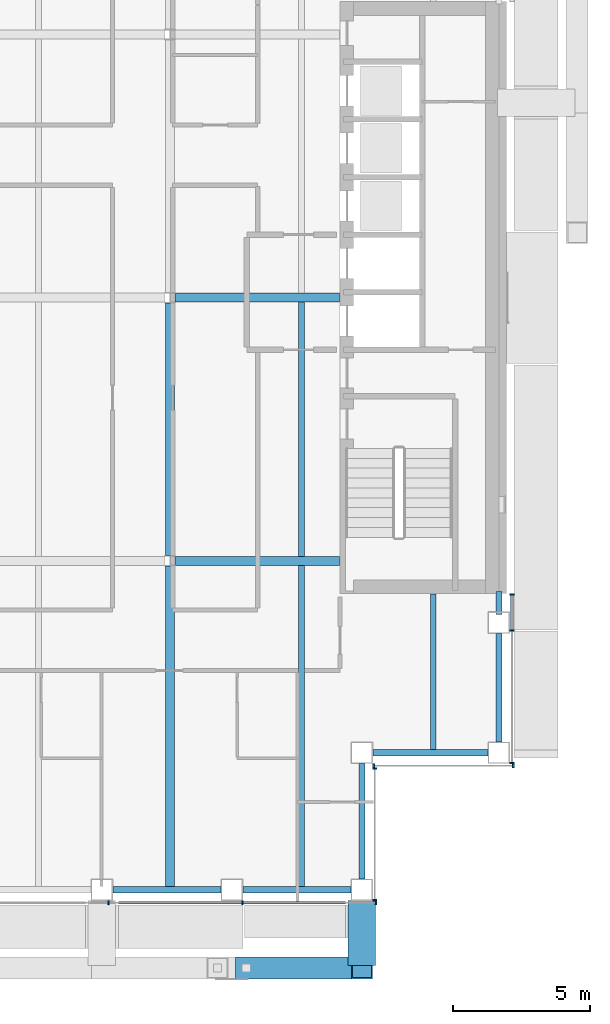
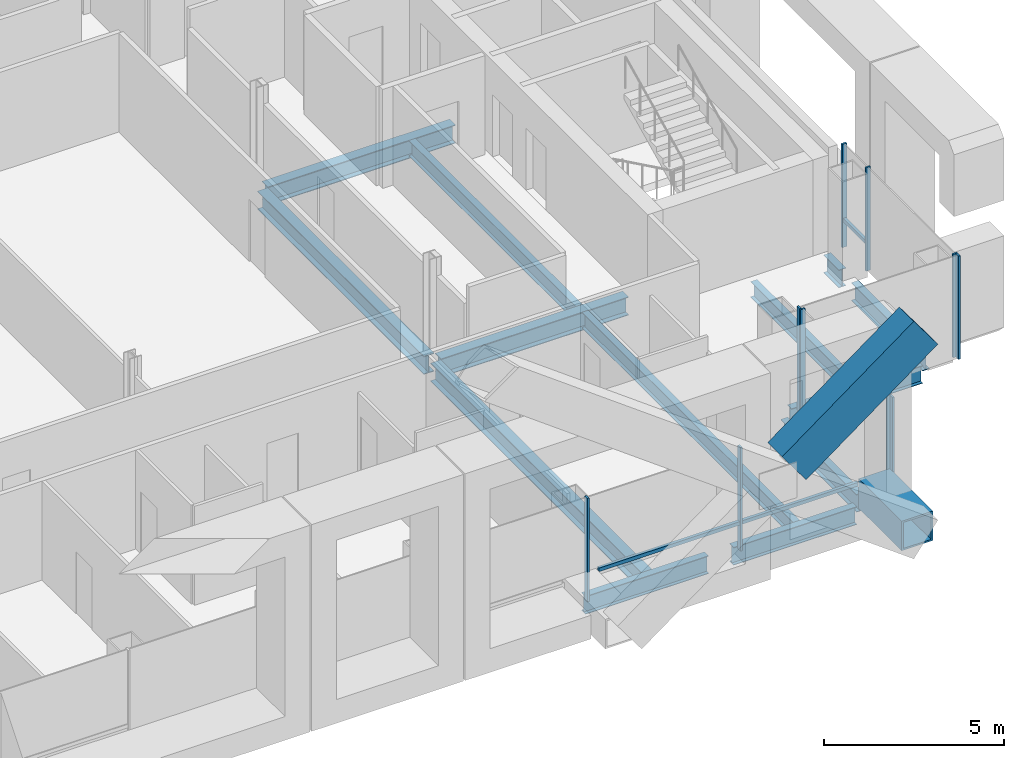
# One storey, part 6 of 22: 14 beams, 14 members, 4 elements without a shape of their own.
"""IFC4 building model written with IfcOpenShell, lengths in metres."""

from ifc_helpers import new_model, si_unit, direction, frame, origin, origin_2d, place, context, subcontext, project, spatial, rectangle, hollow_rectangle, i_section, extrude, material, material_profile, profile_set, type_object, element, aggregate, save


model = new_model("IFC4")

# Units and contexts
model_context = context("Model", 3, precision=1e-05, world=origin(), true_north=direction((0.0, 1.0)))
body_context = subcontext(model_context, "Body", "Model", "MODEL_VIEW")
ifc_project = project(units=[si_unit("LENGTHUNIT", "METRE"), si_unit("AREAUNIT", "SQUARE_METRE"), si_unit("VOLUMEUNIT", "CUBIC_METRE"), si_unit("PLANEANGLEUNIT", "RADIAN"), si_unit("MASSUNIT", "GRAM", prefix="KILO")], contexts=[model_context])

# Site, building, storey
site_placement = place(None, origin())
site = spatial("IfcSite", under=ifc_project, at=site_placement, CompositionType="ELEMENT")
building_placement = place(site_placement, origin())
building = spatial("IfcBuilding", under=site, at=building_placement, Name="Cobrizo Arcos Hotel Tower", CompositionType="ELEMENT")
storey_placement = place(building_placement, frame((0.0, 0.0, 176.0)))
storey = spatial("IfcBuildingStorey", under=building, at=storey_placement, Name="L45", CompositionType="ELEMENT", Elevation=176.0)

# Beam
ifc_material_1 = material(Name="Steel ASTM A572 Grade 50", Category="steel")
ifc_material_profile_1 = material_profile(ifc_material_1, hollow_rectangle(XDim=1.0, YDim=1.0, WallThickness=0.06005859375, at=origin_2d()), Name="BOX 1000X1000X60")
ifc_profile_set_1 = profile_set([ifc_material_profile_1], Name="Steel ASTM A572 Grade 50")
beam_type_1 = type_object("IfcBeamType", Name="BOX 1000X1000X60 brace connector strut", PredefinedType="BEAM", material=ifc_profile_set_1)
beam_1_placement = place(storey_placement, frame((16.60009765625, -21.989990234375, 0.5), z_axis=(0.0, -1.0, 0.0), x_axis=(1.0, 0.0, 0.0)))
element("IfcBeam", 1, at=beam_1_placement, inside=storey, type_object=beam_type_1, Name="Perimeter brace stub BS1, zone Z3, south face, offset +16.60 m, L45", PredefinedType="BEAM", context=body_context, shape_type="SweptSolid", body=[
    extrude(hollow_rectangle(XDim=1.0, YDim=1.0, WallThickness=0.06005859375, at=origin_2d()), origin(), (0.0, 0.0, 1.0), 2.380126953125),
])

# Member
ifc_material_profile_2 = material_profile(ifc_material_1, hollow_rectangle(XDim=0.800048828125, YDim=1.300048828125, WallThickness=0.06005859375, at=origin_2d()), Name="BOX 800X1300X60")
ifc_profile_set_2 = profile_set([ifc_material_profile_2], Name="Steel ASTM A572 Grade 50")
member_type_1 = type_object("IfcMemberType", Name="BOX 800X1300X60 perimeter brace", PredefinedType="BRACE", material=ifc_profile_set_2)
member_1_placement = place(storey_placement, frame((12.38037109375, -24.449951171875, 4.385986328125), z_axis=(0.804623858684, 0.0, 0.593784848271), x_axis=(0.0, 1.0, 0.0)))
element("IfcMember", 2, at=member_1_placement, inside=storey, type_object=member_type_1, Name="Perimeter brace PBR3, zone Z3, south face, no. 16b", PredefinedType="BRACE", context=body_context, shape_type="SweptSolid", body=[
    extrude(hollow_rectangle(XDim=0.800048828125, YDim=1.300048828125, WallThickness=0.06005859375, at=origin_2d()), origin(), (0.0, 0.0, 1.0), 5.244384765625),
])

# Curtain wall, members
ifc_material_2 = material(Name="Aluminium 6063-T6 anodised bronze", Category="aluminium")
curtain_wall_type = type_object("IfcCurtainWallType", Name="CW-A guest facade", PredefinedType="NOTDEFINED", material=ifc_material_2)
curtain_wall_1_placement = place(storey_placement, origin())
curtain_wall_1 = element("IfcCurtainWall", 3, at=curtain_wall_1_placement, inside=storey, type_object=curtain_wall_type, Name="CW-A L45 S face", PredefinedType="NOTDEFINED")
ifc_material_profile_3 = material_profile(ifc_material_2, rectangle(XDim=0.14990234375, YDim=0.06005859375, at=origin_2d()), Name="CW-A mullion 150x60")
ifc_profile_set_3 = profile_set([ifc_material_profile_3], Name="Aluminium 6063-T6 anodised bronze")
member_type_2 = type_object("IfcMemberType", Name="CW-A mullion 150x60", PredefinedType="MULLION", material=ifc_profile_set_3)
member_2_placement = place(storey_placement, frame((7.35009765625, -22.074951171875, 0.0), z_axis=(0.0, 0.0, 1.0), x_axis=(0.0, -1.0, 0.0)))
member_2 = element("IfcMember", 4, at=member_2_placement, type_object=member_type_2, Name="CW-A mullion 6", PredefinedType="MULLION", context=body_context, shape_type="SweptSolid", body=[
    extrude(rectangle(XDim=0.14990234375, YDim=0.06005859375, at=origin_2d()), origin(), (0.0, 0.0, 1.0), 3.5),
])
member_3_placement = place(storey_placement, frame((12.25, -22.074951171875, 0.0), z_axis=(0.0, 0.0, 1.0), x_axis=(0.0, -1.0, 0.0)))
member_3 = element("IfcMember", 5, at=member_3_placement, type_object=member_type_2, Name="CW-A mullion 7", PredefinedType="MULLION", context=body_context, shape_type="SweptSolid", body=[
    extrude(rectangle(XDim=0.14990234375, YDim=0.06005859375, at=origin_2d()), origin(), (0.0, 0.0, 1.0), 3.5),
])
member_4_placement = place(storey_placement, frame((17.1201171875, -22.074951171875, 0.0), z_axis=(0.0, 0.0, 1.0), x_axis=(0.0, -1.0, 0.0)))
member_4 = element("IfcMember", 6, at=member_4_placement, type_object=member_type_2, Name="CW-A mullion 8", PredefinedType="MULLION", context=body_context, shape_type="SweptSolid", body=[
    extrude(rectangle(XDim=0.14990234375, YDim=0.06005859375, at=origin_2d()), origin(), (0.0, 0.0, 1.0), 3.5),
])

curtain_wall_2_placement = place(storey_placement, origin())
curtain_wall_2 = element("IfcCurtainWall", 7, at=curtain_wall_2_placement, inside=storey, type_object=curtain_wall_type, Name="CW-A L45 E face", PredefinedType="NOTDEFINED")
member_5_placement = place(storey_placement, frame((17.074951171875, -21.969970703125, 0.0), z_axis=(0.0, 0.0, 1.0), x_axis=(1.0, 0.0, 0.0)))
member_5 = element("IfcMember", 8, at=member_5_placement, type_object=member_type_2, Name="CW-A mullion 1", PredefinedType="MULLION", context=body_context, shape_type="SweptSolid", body=[
    extrude(rectangle(XDim=0.14990234375, YDim=0.06005859375, at=origin_2d()), origin(), (0.0, 0.0, 1.0), 3.5),
])
member_6_placement = place(storey_placement, frame((17.074951171875, -17.179931640625, 0.0), z_axis=(0.0, 0.0, 1.0), x_axis=(1.0, 0.0, 0.0)))
member_6 = element("IfcMember", 9, at=member_6_placement, type_object=member_type_2, Name="CW-A mullion 2", PredefinedType="MULLION", context=body_context, shape_type="SweptSolid", body=[
    extrude(rectangle(XDim=0.14990234375, YDim=0.06005859375, at=origin_2d()), origin(), (0.0, 0.0, 1.0), 3.5),
])
aggregate(curtain_wall_2, [member_5, member_6])

curtain_wall_3_placement = place(storey_placement, origin())
curtain_wall_3 = element("IfcCurtainWall", 10, at=curtain_wall_3_placement, inside=storey, type_object=curtain_wall_type, Name="CW-A L45 S face", PredefinedType="NOTDEFINED")
member_7_placement = place(storey_placement, frame((17.030029296875, -17.074951171875, 0.0), z_axis=(0.0, 0.0, 1.0), x_axis=(0.0, -1.0, 0.0)))
member_7 = element("IfcMember", 11, at=member_7_placement, type_object=member_type_2, Name="CW-A mullion 1", PredefinedType="MULLION", context=body_context, shape_type="SweptSolid", body=[
    extrude(rectangle(XDim=0.14990234375, YDim=0.06005859375, at=origin_2d()), origin(), (0.0, 0.0, 1.0), 3.5),
])
member_8_placement = place(storey_placement, frame((22.1201171875, -17.074951171875, 0.0), z_axis=(0.0, 0.0, 1.0), x_axis=(0.0, -1.0, 0.0)))
member_8 = element("IfcMember", 12, at=member_8_placement, type_object=member_type_2, Name="CW-A mullion 2", PredefinedType="MULLION", context=body_context, shape_type="SweptSolid", body=[
    extrude(rectangle(XDim=0.14990234375, YDim=0.06005859375, at=origin_2d()), origin(), (0.0, 0.0, 1.0), 3.5),
])
aggregate(curtain_wall_3, [member_7, member_8])

curtain_wall_4_placement = place(storey_placement, origin())
curtain_wall_4 = element("IfcCurtainWall", 13, at=curtain_wall_4_placement, inside=storey, type_object=curtain_wall_type, Name="CW-A L45 E face", PredefinedType="NOTDEFINED")
member_9_placement = place(storey_placement, frame((22.074951171875, -16.969970703125, 0.0), z_axis=(0.0, 0.0, 1.0), x_axis=(1.0, 0.0, 0.0)))
member_9 = element("IfcMember", 14, at=member_9_placement, type_object=member_type_2, Name="CW-A mullion 1", PredefinedType="MULLION", context=body_context, shape_type="SweptSolid", body=[
    extrude(rectangle(XDim=0.14990234375, YDim=0.06005859375, at=origin_2d()), origin(), (0.0, 0.0, 1.0), 3.5),
])
member_10_placement = place(storey_placement, frame((22.074951171875, -12.142822265625, 0.0), z_axis=(0.0, 0.0, 1.0), x_axis=(1.0, 0.0, 0.0)))
member_10 = element("IfcMember", 15, at=member_10_placement, type_object=member_type_2, Name="CW-A mullion 2", PredefinedType="MULLION", context=body_context, shape_type="SweptSolid", body=[
    extrude(rectangle(XDim=0.14990234375, YDim=0.06005859375, at=origin_2d()), origin(), (0.0, 0.0, 1.0), 3.5),
])
member_11_placement = place(storey_placement, frame((22.074951171875, -10.830078125, 0.0), z_axis=(0.0, 0.0, 1.0), x_axis=(1.0, 0.0, 0.0)))
member_11 = element("IfcMember", 16, at=member_11_placement, type_object=member_type_2, Name="CW-A mullion 3", PredefinedType="MULLION", context=body_context, shape_type="SweptSolid", body=[
    extrude(rectangle(XDim=0.14990234375, YDim=0.06005859375, at=origin_2d()), origin(), (0.0, 0.0, 1.0), 3.5),
])

# Member
ifc_material_profile_4 = material_profile(ifc_material_2, rectangle(XDim=0.10009765625, YDim=0.1201171875, at=origin_2d()), Name="CW-A transom 120x100")
ifc_profile_set_4 = profile_set([ifc_material_profile_4], Name="Aluminium 6063-T6 anodised bronze")
member_type_3 = type_object("IfcMemberType", Name="CW-A transom 120x100", PredefinedType="USERDEFINED", material=ifc_profile_set_4)
member_12_placement = place(storey_placement, frame((7.71435546875, -22.074951171875, 0.929931640625), z_axis=(1.0, 0.0, 0.0), x_axis=(0.0, 1.0, 0.0)))
member_12 = element("IfcMember", 17, at=member_12_placement, type_object=member_type_3, Name="CW-A transom 1581", ObjectType="TRANSOM", PredefinedType="USERDEFINED", context=body_context, shape_type="SweptSolid", body=[
    extrude(rectangle(XDim=0.10009765625, YDim=0.1201171875, at=origin_2d()), origin(), (0.0, 0.0, 1.0), 4.505615234375),
])

member_13_placement = place(storey_placement, frame((12.280029296875, -22.074951171875, 0.929931640625), z_axis=(1.0, 0.0, 0.0), x_axis=(0.0, 1.0, 0.0)))
member_13 = element("IfcMember", 18, at=member_13_placement, type_object=member_type_3, Name="CW-A transom 1582", ObjectType="TRANSOM", PredefinedType="USERDEFINED", context=body_context, shape_type="SweptSolid", body=[
    extrude(rectangle(XDim=0.10009765625, YDim=0.1201171875, at=origin_2d()), origin(), (0.0, 0.0, 1.0), 3.719970703125),
])

aggregate(curtain_wall_1, [member_2, member_3, member_4, member_12, member_13])

member_14_placement = place(storey_placement, frame((22.074951171875, -12.11279296875, 0.929931640625), z_axis=(0.0, 1.0, 0.0), x_axis=(-1.0, 0.0, 0.0)))
member_14 = element("IfcMember", 19, at=member_14_placement, type_object=member_type_3, Name="CW-A transom 1586", ObjectType="TRANSOM", PredefinedType="USERDEFINED", context=body_context, shape_type="SweptSolid", body=[
    extrude(rectangle(XDim=0.10009765625, YDim=0.1201171875, at=origin_2d()), origin(), (0.0, 0.0, 1.0), 1.252685546875),
])

aggregate(curtain_wall_4, [member_9, member_10, member_11, member_14])

# Beams
ifc_material_3 = material(Name="Steel ASTM A992 Grade 50", Category="steel")
ifc_material_profile_5 = material_profile(ifc_material_3, i_section(OverallWidth=0.209228515625, OverallDepth=0.533447265625, WebThickness=0.01025390625, FlangeThickness=0.015625, at=origin_2d()), Name="W21X62")
ifc_profile_set_5 = profile_set([ifc_material_profile_5], Name="Steel ASTM A992 Grade 50")
beam_type_2 = type_object("IfcBeamType", Name="W21X62 joist", PredefinedType="JOIST", material=ifc_profile_set_5)
beam_2_placement = place(storey_placement, frame((14.39990234375, -21.510009765625, -0.416748046875), z_axis=(0.0, 1.0, 0.0), x_axis=(-1.0, 0.0, 0.0)))
element("IfcBeam", 20, at=beam_2_placement, inside=storey, type_object=beam_type_2, Name="Floor joist J1, L45, no. 015", PredefinedType="JOIST", context=body_context, shape_type="SweptSolid", body=[
    extrude(i_section(OverallWidth=0.209228515625, OverallDepth=0.533447265625, WebThickness=0.01025390625, FlangeThickness=0.015625, at=origin_2d()), origin(), (0.0, 0.0, 1.0), 11.74609375),
])
beam_3_placement = place(storey_placement, frame((14.39990234375, -9.43603515625, -0.416748046875), z_axis=(0.0, 1.0, 0.0), x_axis=(-1.0, 0.0, 0.0)))
element("IfcBeam", 21, at=beam_3_placement, inside=storey, type_object=beam_type_2, Name="Floor joist J1, L45, no. 016", PredefinedType="JOIST", context=body_context, shape_type="SweptSolid", body=[
    extrude(i_section(OverallWidth=0.209228515625, OverallDepth=0.533447265625, WebThickness=0.01025390625, FlangeThickness=0.015625, at=origin_2d()), origin(), (0.0, 0.0, 1.0), 9.272216796875),
])
beam_4_placement = place(storey_placement, frame((19.199951171875, -16.510009765625, -0.416748046875), z_axis=(0.0, 1.0, 0.0), x_axis=(-1.0, 0.0, 0.0)))
element("IfcBeam", 22, at=beam_4_placement, inside=storey, type_object=beam_type_2, Name="Floor joist J1, L45, no. 019", PredefinedType="JOIST", context=body_context, shape_type="SweptSolid", body=[
    extrude(i_section(OverallWidth=0.209228515625, OverallDepth=0.533447265625, WebThickness=0.01025390625, FlangeThickness=0.015625, at=origin_2d()), origin(), (0.0, 0.0, 1.0), 5.699951171875),
])
ifc_material_profile_6 = material_profile(ifc_material_3, i_section(OverallWidth=0.32763671875, OverallDepth=0.622314453125, WebThickness=0.015380859375, FlangeThickness=0.0244140625, at=origin_2d()), Name="W24X131")
ifc_profile_set_6 = profile_set([ifc_material_profile_6], Name="Steel ASTM A992 Grade 50")
beam_type_3 = type_object("IfcBeamType", Name="W24X131 girder", PredefinedType="BEAM", material=ifc_profile_set_6)
for number, where, z_axis, x_axis, name in (
    (23, (9.78662109375, -9.60009765625, -0.461181640625), (1.0, 0.0, 0.0), (0.0, 1.0, 0.0), "Floor girder G1, L45, no. 004"),
    (24, (9.78662109375, 0.0, -0.461181640625), (1.0, 0.0, 0.0), (0.0, 1.0, 0.0), "Floor girder G1, L45, no. 008"),
):
    element("IfcBeam", number, at=place(storey_placement, frame(where, z_axis=z_axis, x_axis=x_axis)), inside=storey, type_object=beam_type_3, Name=name, PredefinedType="BEAM", context=body_context, shape_type="SweptSolid", body=[
        extrude(i_section(OverallWidth=0.32763671875, OverallDepth=0.622314453125, WebThickness=0.015380859375, FlangeThickness=0.0244140625, at=origin_2d()), origin(), (0.0, 0.0, 1.0), 6.00341796875),
    ])
beam_5_placement = place(storey_placement, frame((9.60009765625, -21.510009765625, -0.461181640625), z_axis=(0.0, 1.0, 0.0), x_axis=(-1.0, 0.0, 0.0)))
element("IfcBeam", 25, at=beam_5_placement, inside=storey, type_object=beam_type_3, Name="Floor girder G1, L45, no. 021", PredefinedType="BEAM", context=body_context, shape_type="SweptSolid", body=[
    extrude(i_section(OverallWidth=0.32763671875, OverallDepth=0.622314453125, WebThickness=0.015380859375, FlangeThickness=0.0244140625, at=origin_2d()), origin(), (0.0, 0.0, 1.0), 11.723388671875),
])
beam_6_placement = place(storey_placement, frame((9.60009765625, -9.413330078125, -0.461181640625), z_axis=(0.0, 1.0, 0.0), x_axis=(-1.0, 0.0, 0.0)))
element("IfcBeam", 26, at=beam_6_placement, inside=storey, type_object=beam_type_3, Name="Floor girder G1, L45, no. 022", PredefinedType="BEAM", context=body_context, shape_type="SweptSolid", body=[
    extrude(i_section(OverallWidth=0.32763671875, OverallDepth=0.622314453125, WebThickness=0.015380859375, FlangeThickness=0.0244140625, at=origin_2d()), origin(), (0.0, 0.0, 1.0), 9.2265625),
])
ifc_material_profile_7 = material_profile(ifc_material_3, i_section(OverallWidth=0.228271484375, OverallDepth=0.607177734375, WebThickness=0.01123046875, FlangeThickness=0.017333984375, at=origin_2d()), Name="W24X76")
ifc_profile_set_7 = profile_set([ifc_material_profile_7], Name="Steel ASTM A992 Grade 50")
beam_type_4 = type_object("IfcBeamType", Name="W24X76 spandrel", PredefinedType="SPANDREL", material=ifc_profile_set_7)
beam_7_placement = place(storey_placement, frame((7.513916015625, -21.60009765625, -0.45361328125), z_axis=(1.0, 0.0, 0.0), x_axis=(0.0, 1.0, 0.0)))
element("IfcBeam", 27, at=beam_7_placement, inside=storey, type_object=beam_type_4, Name="Spandrel beam W24X76, L45, no. 006", PredefinedType="SPANDREL", context=body_context, shape_type="SweptSolid", body=[
    extrude(i_section(OverallWidth=0.228271484375, OverallDepth=0.607177734375, WebThickness=0.01123046875, FlangeThickness=0.017333984375, at=origin_2d()), origin(), (0.0, 0.0, 1.0), 3.943115234375),
])
beam_8_placement = place(storey_placement, frame((12.257080078125, -21.60009765625, -0.45361328125), z_axis=(1.0, 0.0, 0.0), x_axis=(0.0, 1.0, 0.0)))
element("IfcBeam", 28, at=beam_8_placement, inside=storey, type_object=beam_type_4, Name="Spandrel beam W24X76, L45, no. 007", PredefinedType="SPANDREL", context=body_context, shape_type="SweptSolid", body=[
    extrude(i_section(OverallWidth=0.228271484375, OverallDepth=0.607177734375, WebThickness=0.01123046875, FlangeThickness=0.017333984375, at=origin_2d()), origin(), (0.0, 0.0, 1.0), 3.94287109375),
])
for number, where, z_axis, x_axis, name in (
    (29, (16.60009765625, -21.199951171875, -0.45361328125), (0.0, 1.0, 0.0), (-1.0, 0.0, 0.0), "Spandrel beam W24X76, L45, no. 008"),
    (30, (17.0, -16.60009765625, -0.45361328125), (1.0, 0.0, 0.0), (0.0, 1.0, 0.0), "Spandrel beam W24X76, L45, no. 009"),
):
    element("IfcBeam", number, at=place(storey_placement, frame(where, z_axis=z_axis, x_axis=x_axis)), inside=storey, type_object=beam_type_4, Name=name, PredefinedType="SPANDREL", context=body_context, shape_type="SweptSolid", body=[
        extrude(i_section(OverallWidth=0.228271484375, OverallDepth=0.607177734375, WebThickness=0.01123046875, FlangeThickness=0.017333984375, at=origin_2d()), origin(), (0.0, 0.0, 1.0), 4.199951171875),
    ])
beam_9_placement = place(storey_placement, frame((21.60009765625, -16.199951171875, -0.45361328125), z_axis=(0.0, 1.0, 0.0), x_axis=(-1.0, 0.0, 0.0)))
element("IfcBeam", 31, at=beam_9_placement, inside=storey, type_object=beam_type_4, Name="Spandrel beam W24X76, L45, no. 010", PredefinedType="SPANDREL", context=body_context, shape_type="SweptSolid", body=[
    extrude(i_section(OverallWidth=0.228271484375, OverallDepth=0.607177734375, WebThickness=0.01123046875, FlangeThickness=0.017333984375, at=origin_2d()), origin(), (0.0, 0.0, 1.0), 3.94287109375),
])
beam_10_placement = place(storey_placement, frame((21.60009765625, -11.556884765625, -0.45361328125), z_axis=(0.0, 1.0, 0.0), x_axis=(-1.0, 0.0, 0.0)))
element("IfcBeam", 32, at=beam_10_placement, inside=storey, type_object=beam_type_4, Name="Spandrel beam W24X76, L45, no. 011", PredefinedType="SPANDREL", context=body_context, shape_type="SweptSolid", body=[
    extrude(i_section(OverallWidth=0.228271484375, OverallDepth=0.607177734375, WebThickness=0.01123046875, FlangeThickness=0.017333984375, at=origin_2d()), origin(), (0.0, 0.0, 1.0), 0.846923828125),
])

save(model, "model.ifc")
